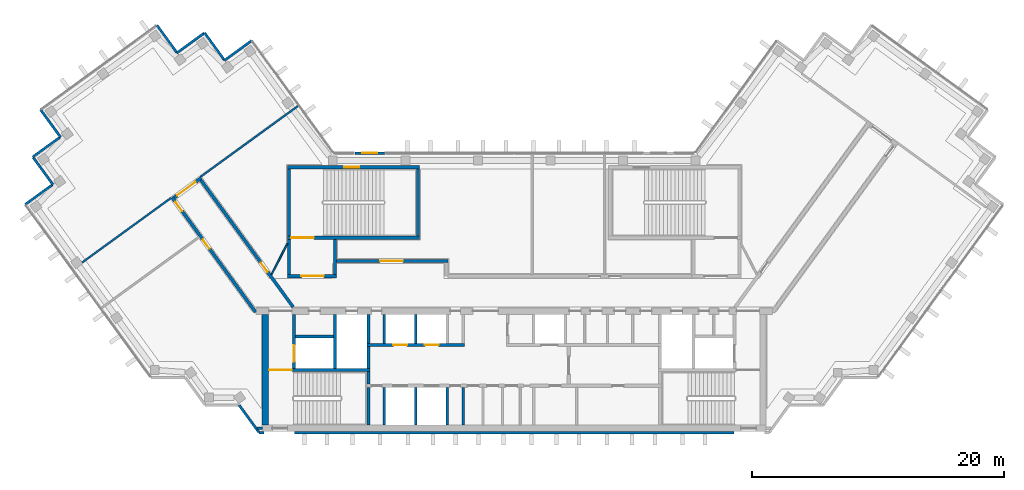
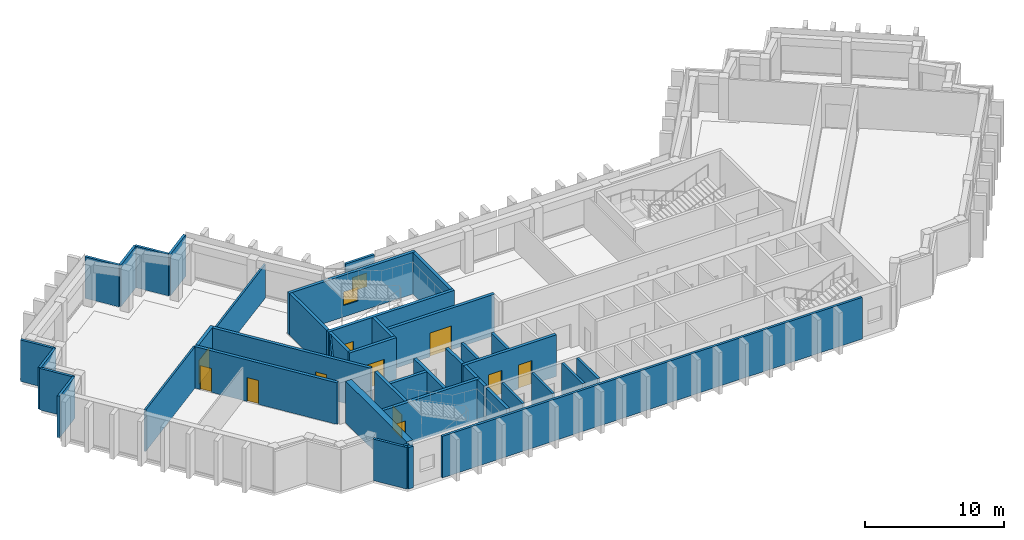
# One storey, part 3 of 8: 43 walls, 11 doors, 2 windows, 13 openings.
"""IFC4 building model written with IfcOpenShell, lengths in metres."""

from ifc_helpers import new_model, si_unit, direction, frame, frame_2d, origin, place, context, subcontext, project, spatial, rectangle, extrude, material, layer, layer_set, type_object, element, fill, save


model = new_model("IFC4")

# Units and contexts
model_context = context("Model", 3, precision=1e-05, world=origin(), true_north=direction((0.0, 1.0)))
body_context = subcontext(model_context, "Body", "Model", "MODEL_VIEW")
ifc_project = project(units=[si_unit("LENGTHUNIT", "METRE"), si_unit("AREAUNIT", "SQUARE_METRE"), si_unit("VOLUMEUNIT", "CUBIC_METRE"), si_unit("PLANEANGLEUNIT", "RADIAN"), si_unit("MASSUNIT", "GRAM", prefix="KILO")], contexts=[model_context])

# Site, building, storey
site_placement = place(None, origin())
site = spatial("IfcSite", under=ifc_project, at=site_placement, CompositionType="ELEMENT")
building_placement = place(site_placement, origin())
building = spatial("IfcBuilding", under=site, at=building_placement, Name="Quipu Civic Tower", CompositionType="ELEMENT")
storey_placement = place(building_placement, frame((0.0, 0.0, 289.0)))
storey = spatial("IfcBuildingStorey", under=building, at=storey_placement, Name="L67", CompositionType="ELEMENT", Elevation=289.0)

# Walls
ifc_material_1 = material(Name="Double gypsum plasterboard with mineral wool")
ifc_layer_1 = layer(ifc_material_1, 0.14990234375)
ifc_layer_set_1 = layer_set([ifc_layer_1], Name="Double gypsum plasterboard with mineral wool")
wall_type_1 = type_object("IfcWallType", Name="Acoustic partition 150 plasterboard", PredefinedType="PARTITIONING", material=ifc_layer_set_1)
wall_1_placement = place(storey_placement, frame((-17.17236328125, 14.822509765625, 0.0), z_axis=(0.0, 0.0, 1.0), x_axis=(-0.809013490065, -0.587790075531, 0.0)))
element("IfcWall", 1, at=wall_1_placement, inside=storey, type_object=wall_type_1, Name="Partition P02", PredefinedType="PARTITIONING", context=body_context, shape_type="SweptSolid", body=[
    extrude(rectangle(XDim=9.54931640625, YDim=0.14990234375, at=frame_2d((4.774658203125, 0.0))), origin(), (0.0, 0.0, 1.0), 2.949951171875),
])
wall_2_placement = place(storey_placement, frame((-34.291015625, 2.41015625, 0.0), z_axis=(0.0, 0.0, 1.0), x_axis=(0.809027940177, 0.587770186393, 0.0)))
element("IfcWall", 2, at=wall_2_placement, inside=storey, type_object=wall_type_1, Name="Partition P06", PredefinedType="PARTITIONING", context=body_context, shape_type="SweptSolid", body=[
    extrude(rectangle(XDim=8.71484375, YDim=0.14990234375, at=frame_2d((4.357421875, 0.0))), origin(), (0.0, 0.0, 1.0), 3.64990234375),
])
ifc_material_2 = material(Name="Concrete C70/85", Category="concrete")
ifc_layer_2 = layer(ifc_material_2, 0.25)
ifc_layer_set_2 = layer_set([ifc_layer_2], Name="Concrete C70/85")
wall_type_2 = type_object("IfcWallType", Name="Core wall 250", PredefinedType="SHEAR", material=ifc_layer_set_2)
wall_3_placement = place(storey_placement, frame((-11.574951171875, -10.5, 0.0), z_axis=(0.0, 0.0, 1.0), x_axis=(0.0, 1.0, 0.0)))
element("IfcWall", 3, at=wall_3_placement, inside=storey, type_object=wall_type_2, Name="Core wall", PredefinedType="SHEAR", context=body_context, shape_type="SweptSolid", body=[
    extrude(rectangle(XDim=3.0, YDim=0.25, at=frame_2d((1.5, 0.0))), origin(), (0.0, 0.0, 1.0), 3.64990234375),
])
wall_4_placement = place(storey_placement, frame((-11.574951171875, -7.25, 0.0), z_axis=(0.0, 0.0, 1.0), x_axis=(0.0, 1.0, 0.0)))
element("IfcWall", 4, at=wall_4_placement, inside=storey, type_object=wall_type_2, Name="Core wall", PredefinedType="SHEAR", context=body_context, shape_type="SweptSolid", body=[
    extrude(rectangle(XDim=1.0, YDim=0.25, at=frame_2d((0.5, 0.0))), origin(), (0.0, 0.0, 1.0), 3.64990234375),
])

# Wall, opening, door
wall_5_placement = place(storey_placement, frame((-11.449951171875, -6.125, 0.0), z_axis=(0.0, 0.0, 1.0), x_axis=(-1.0, 0.0, 0.0)))
wall_5 = element("IfcWall", 5, at=wall_5_placement, inside=storey, type_object=wall_type_2, Name="Core wall", PredefinedType="SHEAR", context=body_context, shape_type="SweptSolid", body=[
    extrude(rectangle(XDim=8.050048828125, YDim=0.25, at=frame_2d((4.02490234375, 0.0))), origin(), (0.0, 0.0, 1.0), 3.64990234375),
])
opening_1_placement = place(wall_5_placement, frame((6.199951171875, 0.0, 0.0)))
opening_1 = element("IfcOpeningElement", 6, at=opening_1_placement, cuts=wall_5, Name="Opening CD-09", PredefinedType="OPENING", context=body_context, shape_type="SweptSolid", body=[
    extrude(rectangle(XDim=1.800048828125, YDim=2.10009765625, at=frame_2d((0.89990234375, 1.050048828125))), frame((0.0, 0.135009765625, 0.0), z_axis=(0.0, -1.0, 0.0), x_axis=(1.0, 0.0, 0.0)), (0.0, 0.0, 1.0), 0.27001953125),
])
ifc_material_3 = material(Name="Fire rated steel door", Category="steel")
door_type_1 = type_object("IfcDoorType", Name="Fire door FD90 double 1800 x 2100", OperationType="NOTDEFINED", PredefinedType="DOOR", material=ifc_material_3)
door_1_placement = place(opening_1_placement, origin())
door_1 = element("IfcDoor", 7, at=door_1_placement, inside=storey, type_object=door_type_1, Name="Door", OperationType="DOUBLE_DOOR_SINGLE_SWING", OverallHeight=2.10009765625, OverallWidth=1.800048828125, PredefinedType="DOOR", context=body_context, shape_type="SweptSolid", body=[
    extrude(rectangle(XDim=1.800048828125, YDim=2.10009765625, at=frame_2d((0.89990234375, 1.050048828125))), frame((0.0, 0.02490234375, 0.0), z_axis=(0.0, -1.0, 0.0), x_axis=(1.0, 0.0, 0.0)), (0.0, 0.0, 1.0), 0.050048828125),
])
fill(opening_1, door_1)

wall_6_placement = place(storey_placement, frame((-17.47509765625, -6.0, 0.0), z_axis=(0.0, 0.0, 1.0), x_axis=(0.0, 1.0, 0.0)))
wall_6 = element("IfcWall", 8, at=wall_6_placement, inside=storey, type_object=wall_type_2, Name="Core wall", PredefinedType="SHEAR", context=body_context, shape_type="SweptSolid", body=[
    extrude(rectangle(XDim=4.300048828125, YDim=0.25, at=frame_2d((2.14990234375, 0.0))), origin(), (0.0, 0.0, 1.0), 3.64990234375),
])
opening_2_placement = place(wall_6_placement, frame((0.550048828125, 0.0, 0.0)))
opening_2 = element("IfcOpeningElement", 9, at=opening_2_placement, cuts=wall_6, Name="Opening LD-FF1", PredefinedType="OPENING", context=body_context, shape_type="SweptSolid", body=[
    extrude(rectangle(XDim=1.300048828125, YDim=2.10009765625, at=frame_2d((0.64990234375, 1.050048828125))), frame((0.0, 0.135009765625, 0.0), z_axis=(0.0, -1.0, 0.0), x_axis=(1.0, 0.0, 0.0)), (0.0, 0.0, 1.0), 0.27001953125),
])
ifc_material_4 = material(Name="Stainless steel", Category="steel")
door_type_2 = type_object("IfcDoorType", Name="Lift landing door 1300 x 2100", OperationType="DOUBLE_DOOR_SLIDING", PredefinedType="DOOR", material=ifc_material_4)
door_2_placement = place(opening_2_placement, origin())
door_2 = element("IfcDoor", 10, at=door_2_placement, inside=storey, type_object=door_type_2, Name="Landing door FF1", OperationType="DOUBLE_DOOR_SLIDING", OverallHeight=2.10009765625, OverallWidth=1.300048828125, PredefinedType="DOOR", context=body_context, shape_type="SweptSolid", body=[
    extrude(rectangle(XDim=1.300048828125, YDim=2.10009765625, at=frame_2d((0.64990234375, 1.050048828125))), frame((0.0, 0.02490234375, 0.0), z_axis=(0.0, -1.0, 0.0), x_axis=(1.0, 0.0, 0.0)), (0.0, 0.0, 1.0), 0.050048828125),
])
fill(opening_2, door_2)

# Walls
wall_7_placement = place(storey_placement, frame((-14.22509765625, -6.0, 0.0), z_axis=(0.0, 0.0, 1.0), x_axis=(0.0, 1.0, 0.0)))
element("IfcWall", 11, at=wall_7_placement, inside=storey, type_object=wall_type_2, Name="Core wall", PredefinedType="SHEAR", context=body_context, shape_type="SweptSolid", body=[
    extrude(rectangle(XDim=4.300048828125, YDim=0.25, at=frame_2d((2.14990234375, 0.0))), origin(), (0.0, 0.0, 1.0), 3.64990234375),
])
wall_8_placement = place(storey_placement, frame((-11.574951171875, -6.0, 0.0), z_axis=(0.0, 0.0, 1.0), x_axis=(0.0, 1.0, 0.0)))
element("IfcWall", 12, at=wall_8_placement, inside=storey, type_object=wall_type_2, Name="Core wall", PredefinedType="SHEAR", context=body_context, shape_type="SweptSolid", body=[
    extrude(rectangle(XDim=1.75, YDim=0.25, at=frame_2d((0.875, 0.0))), origin(), (0.0, 0.0, 1.0), 3.64990234375),
])

# Wall, openings, doors
wall_9_placement = place(storey_placement, frame((-11.699951171875, -4.125, 0.0), z_axis=(0.0, 0.0, 1.0), x_axis=(1.0, 0.0, 0.0)))
wall_9 = element("IfcWall", 13, at=wall_9_placement, inside=storey, type_object=wall_type_2, Name="Core wall", PredefinedType="SHEAR", context=body_context, shape_type="SweptSolid", body=[
    extrude(rectangle(XDim=7.75, YDim=0.25, at=frame_2d((3.875, 0.0))), origin(), (0.0, 0.0, 1.0), 3.64990234375),
])
opening_3_placement = place(wall_9_placement, frame((2.10009765625, 0.0, 0.0)))
opening_3 = element("IfcOpeningElement", 14, at=opening_3_placement, cuts=wall_9, Name="Opening LD-HL3", PredefinedType="OPENING", context=body_context, shape_type="SweptSolid", body=[
    extrude(rectangle(XDim=1.10009765625, YDim=2.10009765625, at=frame_2d((0.550048828125, 1.050048828125))), frame((0.0, 0.135009765625, 0.0), z_axis=(0.0, -1.0, 0.0), x_axis=(1.0, 0.0, 0.0)), (0.0, 0.0, 1.0), 0.27001953125),
])
opening_4_placement = place(wall_9_placement, frame((4.60009765625, 0.0, 0.0)))
opening_4 = element("IfcOpeningElement", 15, at=opening_4_placement, cuts=wall_9, Name="Opening LD-HL4", PredefinedType="OPENING", context=body_context, shape_type="SweptSolid", body=[
    extrude(rectangle(XDim=1.10009765625, YDim=2.10009765625, at=frame_2d((0.550048828125, 1.050048828125))), frame((0.0, 0.135009765625, 0.0), z_axis=(0.0, -1.0, 0.0), x_axis=(1.0, 0.0, 0.0)), (0.0, 0.0, 1.0), 0.27001953125),
])
ifc_material_5 = material(Name="Stainless steel", Category="steel")
door_type_3 = type_object("IfcDoorType", Name="Lift landing door 1100 x 2100", OperationType="DOUBLE_DOOR_SLIDING", PredefinedType="DOOR", material=ifc_material_5)
door_3_placement = place(opening_3_placement, origin())
door_3 = element("IfcDoor", 16, at=door_3_placement, inside=storey, type_object=door_type_3, Name="Landing door HL3", OperationType="DOUBLE_DOOR_SLIDING", OverallHeight=2.10009765625, OverallWidth=1.10009765625, PredefinedType="DOOR", context=body_context, shape_type="SweptSolid", body=[
    extrude(rectangle(XDim=1.10009765625, YDim=2.10009765625, at=frame_2d((0.550048828125, 1.050048828125))), frame((0.0, 0.02490234375, 0.0), z_axis=(0.0, -1.0, 0.0), x_axis=(1.0, 0.0, 0.0)), (0.0, 0.0, 1.0), 0.050048828125),
])
fill(opening_3, door_3)
door_4_placement = place(opening_4_placement, origin())
door_4 = element("IfcDoor", 17, at=door_4_placement, inside=storey, type_object=door_type_3, Name="Landing door HL4", OperationType="DOUBLE_DOOR_SLIDING", OverallHeight=2.10009765625, OverallWidth=1.10009765625, PredefinedType="DOOR", context=body_context, shape_type="SweptSolid", body=[
    extrude(rectangle(XDim=1.10009765625, YDim=2.10009765625, at=frame_2d((0.550048828125, 1.050048828125))), frame((0.0, 0.02490234375, 0.0), z_axis=(0.0, -1.0, 0.0), x_axis=(1.0, 0.0, 0.0)), (0.0, 0.0, 1.0), 0.050048828125),
])
fill(opening_4, door_4)

# Walls
wall_10_placement = place(storey_placement, frame((-11.574951171875, -4.0, 0.0), z_axis=(0.0, 0.0, 1.0), x_axis=(0.0, 1.0, 0.0)))
element("IfcWall", 18, at=wall_10_placement, inside=storey, type_object=wall_type_2, Name="Core wall", PredefinedType="SHEAR", context=body_context, shape_type="SweptSolid", body=[
    extrude(rectangle(XDim=2.300048828125, YDim=0.25, at=frame_2d((1.14990234375, 0.0))), origin(), (0.0, 0.0, 1.0), 3.64990234375),
])
wall_11_placement = place(storey_placement, frame((-17.35009765625, -3.47509765625, 0.0), z_axis=(0.0, 0.0, 1.0), x_axis=(1.0, 0.0, 0.0)))
element("IfcWall", 19, at=wall_11_placement, inside=storey, type_object=wall_type_2, Name="Core wall", PredefinedType="SHEAR", context=body_context, shape_type="SweptSolid", body=[
    extrude(rectangle(XDim=3.0, YDim=0.25, at=frame_2d((1.5, 0.0))), origin(), (0.0, 0.0, 1.0), 3.64990234375),
])

# Wall, opening, door
wall_12_placement = place(storey_placement, frame((-18.0, 1.324951171875, 0.0), z_axis=(0.0, 0.0, 1.0), x_axis=(1.0, 0.0, 0.0)))
wall_12 = element("IfcWall", 20, at=wall_12_placement, inside=storey, type_object=wall_type_2, Name="Core wall", PredefinedType="SHEAR", context=body_context, shape_type="SweptSolid", body=[
    extrude(rectangle(XDim=3.89990234375, YDim=0.25, at=frame_2d((1.949951171875, 0.0))), origin(), (0.0, 0.0, 1.0), 3.64990234375),
])
opening_5_placement = place(wall_12_placement, frame((1.10009765625, 0.0, 0.0)))
opening_5 = element("IfcOpeningElement", 21, at=opening_5_placement, cuts=wall_12, Name="Opening CD-27", PredefinedType="OPENING", context=body_context, shape_type="SweptSolid", body=[
    extrude(rectangle(XDim=1.800048828125, YDim=2.10009765625, at=frame_2d((0.89990234375, 1.050048828125))), frame((0.0, 0.135009765625, 0.0), z_axis=(0.0, -1.0, 0.0), x_axis=(1.0, 0.0, 0.0)), (0.0, 0.0, 1.0), 0.27001953125),
])
door_5_placement = place(opening_5_placement, origin())
door_5 = element("IfcDoor", 22, at=door_5_placement, inside=storey, type_object=door_type_1, Name="Lobby door", OperationType="DOUBLE_DOOR_SINGLE_SWING", OverallHeight=2.10009765625, OverallWidth=1.800048828125, PredefinedType="DOOR", context=body_context, shape_type="SweptSolid", body=[
    extrude(rectangle(XDim=1.800048828125, YDim=2.10009765625, at=frame_2d((0.89990234375, 1.050048828125))), frame((0.0, 0.02490234375, 0.0), z_axis=(0.0, -1.0, 0.0), x_axis=(1.0, 0.0, 0.0)), (0.0, 0.0, 1.0), 0.050048828125),
])
fill(opening_5, door_5)

# Walls
for number, where, z_axis, x_axis, name in (
    (23, (-17.875, 1.449951171875, 0.0), (0.0, 0.0, 1.0), (0.0, 1.0, 0.0), "Core wall"),
    (24, (-14.22509765625, 1.449951171875, 0.0), (0.0, 0.0, 1.0), (0.0, 1.0, 0.0), "Core wall"),
):
    element("IfcWall", number, at=place(storey_placement, frame(where, z_axis=z_axis, x_axis=x_axis)), inside=storey, type_object=wall_type_2, Name=name, PredefinedType="SHEAR", context=body_context, shape_type="SweptSolid", body=[
        extrude(rectangle(XDim=2.800048828125, YDim=0.25, at=frame_2d((1.39990234375, 0.0))), origin(), (0.0, 0.0, 1.0), 3.64990234375),
    ])

# Wall, opening, door
wall_13_placement = place(storey_placement, frame((-18.0, 4.375, 0.0), z_axis=(0.0, 0.0, 1.0), x_axis=(1.0, 0.0, 0.0)))
wall_13 = element("IfcWall", 25, at=wall_13_placement, inside=storey, type_object=wall_type_2, Name="Core wall", PredefinedType="SHEAR", context=body_context, shape_type="SweptSolid", body=[
    extrude(rectangle(XDim=10.5, YDim=0.25, at=frame_2d((5.25, 0.0))), origin(), (0.0, 0.0, 1.0), 3.64990234375),
])
opening_6_placement = place(wall_13_placement, frame((0.300048828125, 0.0, 0.0)))
opening_6 = element("IfcOpeningElement", 26, at=opening_6_placement, cuts=wall_13, Name="Opening CD-28", PredefinedType="OPENING", context=body_context, shape_type="SweptSolid", body=[
    extrude(rectangle(XDim=1.800048828125, YDim=2.10009765625, at=frame_2d((0.89990234375, 1.050048828125))), frame((0.0, 0.135009765625, 0.0), z_axis=(0.0, -1.0, 0.0), x_axis=(1.0, 0.0, 0.0)), (0.0, 0.0, 1.0), 0.27001953125),
])
door_6_placement = place(opening_6_placement, origin())
door_6 = element("IfcDoor", 27, at=door_6_placement, inside=storey, type_object=door_type_1, Name="Door", OperationType="DOUBLE_DOOR_SINGLE_SWING", OverallHeight=2.10009765625, OverallWidth=1.800048828125, PredefinedType="DOOR", context=body_context, shape_type="SweptSolid", body=[
    extrude(rectangle(XDim=1.800048828125, YDim=2.10009765625, at=frame_2d((0.89990234375, 1.050048828125))), frame((0.0, 0.02490234375, 0.0), z_axis=(0.0, -1.0, 0.0), x_axis=(1.0, 0.0, 0.0)), (0.0, 0.0, 1.0), 0.050048828125),
])
fill(opening_6, door_6)

# Walls
for number, where, z_axis, x_axis, name in (
    (28, (-17.875, 4.5, 0.0), (0.0, 0.0, 1.0), (0.0, 1.0, 0.0), "Core wall"),
    (29, (-7.625, 4.5, 0.0), (0.0, 0.0, 1.0), (0.0, 1.0, 0.0), "Core wall"),
):
    element("IfcWall", number, at=place(storey_placement, frame(where, z_axis=z_axis, x_axis=x_axis)), inside=storey, type_object=wall_type_2, Name=name, PredefinedType="SHEAR", context=body_context, shape_type="SweptSolid", body=[
        extrude(rectangle(XDim=5.35009765625, YDim=0.25, at=frame_2d((2.675048828125, 0.0))), origin(), (0.0, 0.0, 1.0), 3.64990234375),
    ])

# Wall, opening, window
wall_14_placement = place(storey_placement, frame((-18.0, 9.97509765625, 0.0), z_axis=(0.0, 0.0, 1.0), x_axis=(1.0, 0.0, 0.0)))
wall_14 = element("IfcWall", 30, at=wall_14_placement, inside=storey, type_object=wall_type_2, Name="Core wall", PredefinedType="SHEAR", context=body_context, shape_type="SweptSolid", body=[
    extrude(rectangle(XDim=10.5, YDim=0.25, at=frame_2d((5.25, 0.0))), origin(), (0.0, 0.0, 1.0), 3.64990234375),
])
opening_7_placement = place(wall_14_placement, frame((4.5, 0.0, 1.0)))
opening_7 = element("IfcOpeningElement", 31, at=opening_7_placement, cuts=wall_14, Name="Opening SV-3", PredefinedType="OPENING", context=body_context, shape_type="SweptSolid", body=[
    extrude(rectangle(XDim=1.199951171875, YDim=1.199951171875, at=frame_2d((0.60009765625, 0.60009765625))), frame((0.0, 0.135009765625, 0.0), z_axis=(0.0, -1.0, 0.0), x_axis=(1.0, 0.0, 0.0)), (0.0, 0.0, 1.0), 0.27001953125),
])
ifc_material_6 = material(Name="Aluminium louvre", Category="aluminium")
window_type_1 = type_object("IfcWindowType", Name="Stair ventilation louvre 1200 x 1200", PartitioningType="SINGLE_PANEL", PredefinedType="WINDOW", material=ifc_material_6)
window_1_placement = place(opening_7_placement, origin())
window_1 = element("IfcWindow", 32, at=window_1_placement, inside=storey, type_object=window_type_1, Name="Stair ventilation opening", OverallHeight=1.199951171875, OverallWidth=1.199951171875, PartitioningType="SINGLE_PANEL", PredefinedType="WINDOW", context=body_context, shape_type="SweptSolid", body=[
    extrude(rectangle(XDim=1.199951171875, YDim=1.199951171875, at=frame_2d((0.60009765625, 0.60009765625))), frame((0.0, 0.030029296875, 0.0), z_axis=(0.0, -1.0, 0.0), x_axis=(1.0, 0.0, 0.0)), (0.0, 0.0, 1.0), 0.06005859375),
])
fill(opening_7, window_1)

# Wall
ifc_material_7 = material(Name="Concrete C70/85", Category="concrete")
ifc_layer_3 = layer(ifc_material_7, 0.5)
ifc_layer_set_3 = layer_set([ifc_layer_3], Name="Concrete C70/85")
wall_type_3 = type_object("IfcWallType", Name="Core wall 500", PredefinedType="SHEAR", material=ifc_layer_set_3)
wall_15_placement = place(storey_placement, frame((-19.75, -10.5, 0.0), z_axis=(0.0, 0.0, 1.0), x_axis=(0.0, 1.0, 0.0)))
element("IfcWall", 33, at=wall_15_placement, inside=storey, type_object=wall_type_3, Name="Core wall", PredefinedType="SHEAR", context=body_context, shape_type="SweptSolid", body=[
    extrude(rectangle(XDim=8.800048828125, YDim=0.5, at=frame_2d((4.39990234375, 0.0))), origin(), (0.0, 0.0, 1.0), 3.64990234375),
])

# Wall, openings, doors
ifc_material_8 = material(Name="Concrete C50/60", Category="concrete")
ifc_layer_4 = layer(ifc_material_8, 0.25)
ifc_layer_set_4 = layer_set([ifc_layer_4], Name="Concrete C50/60")
wall_type_4 = type_object("IfcWallType", Name="Corridor wall 250 concrete", PredefinedType="SOLIDWALL", material=ifc_layer_set_4)
wall_16_placement = place(storey_placement, frame((-20.531005859375, -1.5234375, 0.0), z_axis=(0.0, 0.0, 1.0), x_axis=(-0.587782646447, 0.809018887626, 0.0)))
wall_16 = element("IfcWall", 34, at=wall_16_placement, inside=storey, type_object=wall_type_4, Name="Corridor wall C04", PredefinedType="SOLIDWALL", context=body_context, shape_type="SweptSolid", body=[
    extrude(rectangle(XDim=11.270263671875, YDim=0.25, at=frame_2d((5.63525390625, 0.0))), origin(), (0.0, 0.0, 1.0), 3.64990234375),
])
opening_8_placement = place(wall_16_placement, frame((6.2158203125, 0.0, 0.0)))
opening_8 = element("IfcOpeningElement", 35, at=opening_8_placement, cuts=wall_16, Name="Opening D009", PredefinedType="OPENING", context=body_context, shape_type="SweptSolid", body=[
    extrude(rectangle(XDim=0.89990234375, YDim=2.10009765625, at=frame_2d((0.449951171875, 1.050048828125))), frame((0.0, 0.135009765625, 0.0), z_axis=(0.0, -1.0, 0.0), x_axis=(1.0, 0.0, 0.0)), (0.0, 0.0, 1.0), 0.27001953125),
])
opening_9_placement = place(wall_16_placement, frame((9.895751953125, 0.0, 0.0)))
opening_9 = element("IfcOpeningElement", 36, at=opening_9_placement, cuts=wall_16, Name="Opening D008", PredefinedType="OPENING", context=body_context, shape_type="SweptSolid", body=[
    extrude(rectangle(XDim=0.89990234375, YDim=2.10009765625, at=frame_2d((0.449951171875, 1.050048828125))), frame((0.0, 0.135009765625, 0.0), z_axis=(0.0, -1.0, 0.0), x_axis=(1.0, 0.0, 0.0)), (0.0, 0.0, 1.0), 0.27001953125),
])
ifc_material_9 = material(Name="Fire rated timber door set with metal frame", Category="wood")
door_type_4 = type_object("IfcDoorType", Name="Single door 900 x 2100 FD60", OperationType="NOTDEFINED", PredefinedType="DOOR", material=ifc_material_9)
door_7_placement = place(opening_8_placement, origin())
door_7 = element("IfcDoor", 37, at=door_7_placement, inside=storey, type_object=door_type_4, Name="Door D009", OperationType="SINGLE_SWING_RIGHT", OverallHeight=2.10009765625, OverallWidth=0.89990234375, PredefinedType="DOOR", context=body_context, shape_type="SweptSolid", body=[
    extrude(rectangle(XDim=0.89990234375, YDim=2.10009765625, at=frame_2d((0.449951171875, 1.050048828125))), frame((0.0, 0.02490234375, 0.0), z_axis=(0.0, -1.0, 0.0), x_axis=(1.0, 0.0, 0.0)), (0.0, 0.0, 1.0), 0.050048828125),
])
fill(opening_8, door_7)
door_8_placement = place(opening_9_placement, origin())
door_8 = element("IfcDoor", 38, at=door_8_placement, inside=storey, type_object=door_type_4, Name="Door D008", OperationType="SINGLE_SWING_RIGHT", OverallHeight=2.10009765625, OverallWidth=0.89990234375, PredefinedType="DOOR", context=body_context, shape_type="SweptSolid", body=[
    extrude(rectangle(XDim=0.89990234375, YDim=2.10009765625, at=frame_2d((0.449951171875, 1.050048828125))), frame((0.0, 0.02490234375, 0.0), z_axis=(0.0, -1.0, 0.0), x_axis=(1.0, 0.0, 0.0)), (0.0, 0.0, 1.0), 0.050048828125),
])
fill(opening_9, door_8)

# Wall, opening, door
wall_17_placement = place(storey_placement, frame((-26.98095703125, 7.56689453125, 0.0), z_axis=(0.0, 0.0, 1.0), x_axis=(0.809038743598, 0.587755315891, 0.0)))
wall_17 = element("IfcWall", 39, at=wall_17_placement, inside=storey, type_object=wall_type_4, Name="Corridor wall C05", PredefinedType="SOLIDWALL", context=body_context, shape_type="SweptSolid", body=[
    extrude(rectangle(XDim=2.650146484375, YDim=0.25, at=frame_2d((1.3251953125, 0.0))), origin(), (0.0, 0.0, 1.0), 3.64990234375),
])
opening_10_placement = place(wall_17_placement, frame((0.299560546875, 0.0, 0.0)))
opening_10 = element("IfcOpeningElement", 40, at=opening_10_placement, cuts=wall_17, Name="Opening D010", PredefinedType="OPENING", context=body_context, shape_type="SweptSolid", body=[
    extrude(rectangle(XDim=1.800048828125, YDim=2.10009765625, at=frame_2d((0.89990234375, 1.050048828125))), frame((0.0, 0.135009765625, 0.0), z_axis=(0.0, -1.0, 0.0), x_axis=(1.0, 0.0, 0.0)), (0.0, 0.0, 1.0), 0.27001953125),
])
ifc_material_10 = material(Name="Fire rated timber door set with metal frame", Category="wood")
door_type_5 = type_object("IfcDoorType", Name="Double door 1800 x 2100 FD60", OperationType="DOUBLE_DOOR_SINGLE_SWING", PredefinedType="DOOR", material=ifc_material_10)
door_9_placement = place(opening_10_placement, origin())
door_9 = element("IfcDoor", 41, at=door_9_placement, inside=storey, type_object=door_type_5, Name="Door D010", OperationType="DOUBLE_DOOR_SINGLE_SWING", OverallHeight=2.10009765625, OverallWidth=1.800048828125, PredefinedType="DOOR", context=body_context, shape_type="SweptSolid", body=[
    extrude(rectangle(XDim=1.800048828125, YDim=2.10009765625, at=frame_2d((0.89990234375, 1.050048828125))), frame((0.0, 0.02490234375, 0.0), z_axis=(0.0, -1.0, 0.0), x_axis=(1.0, 0.0, 0.0)), (0.0, 0.0, 1.0), 0.050048828125),
])
fill(opening_10, door_9)

wall_18_placement = place(storey_placement, frame((-24.86474609375, 8.949951171875, 0.0), z_axis=(0.0, 0.0, 1.0), x_axis=(0.587791617212, -0.809012369952, 0.0)))
wall_18 = element("IfcWall", 42, at=wall_18_placement, inside=storey, type_object=wall_type_4, Name="Corridor wall C06", PredefinedType="SOLIDWALL", context=body_context, shape_type="SweptSolid", body=[
    extrude(rectangle(XDim=12.453125, YDim=0.25, at=frame_2d((6.2265625, 0.0))), origin(), (0.0, 0.0, 1.0), 3.64990234375),
])
opening_11_placement = place(wall_18_placement, frame((8.111572265625, 0.0, 0.0)))
opening_11 = element("IfcOpeningElement", 43, at=opening_11_placement, cuts=wall_18, Name="Opening D007", PredefinedType="OPENING", context=body_context, shape_type="SweptSolid", body=[
    extrude(rectangle(XDim=0.89990234375, YDim=2.10009765625, at=frame_2d((0.449951171875, 1.050048828125))), frame((0.0, 0.135009765625, 0.0), z_axis=(0.0, -1.0, 0.0), x_axis=(1.0, 0.0, 0.0)), (0.0, 0.0, 1.0), 0.27001953125),
])
door_10_placement = place(opening_11_placement, origin())
door_10 = element("IfcDoor", 44, at=door_10_placement, inside=storey, type_object=door_type_4, Name="Door D007", OperationType="SINGLE_SWING_RIGHT", OverallHeight=2.10009765625, OverallWidth=0.89990234375, PredefinedType="DOOR", context=body_context, shape_type="SweptSolid", body=[
    extrude(rectangle(XDim=0.89990234375, YDim=2.10009765625, at=frame_2d((0.449951171875, 1.050048828125))), frame((0.0, 0.02490234375, 0.0), z_axis=(0.0, -1.0, 0.0), x_axis=(1.0, 0.0, 0.0)), (0.0, 0.0, 1.0), 0.050048828125),
])
fill(opening_11, door_10)

wall_19_placement = place(storey_placement, frame((-14.090087890625, 2.52490234375, 0.0), z_axis=(0.0, 0.0, 1.0), x_axis=(1.0, 0.0, 0.0)))
wall_19 = element("IfcWall", 45, at=wall_19_placement, inside=storey, type_object=wall_type_4, Name="Corridor wall C07", PredefinedType="SOLIDWALL", context=body_context, shape_type="SweptSolid", body=[
    extrude(rectangle(XDim=8.840087890625, YDim=0.25, at=frame_2d((4.419921875, 0.0))), origin(), (0.0, 0.0, 1.0), 3.64990234375),
])
opening_12_placement = place(wall_19_placement, frame((3.452880859375, 0.0, 0.0)))
opening_12 = element("IfcOpeningElement", 46, at=opening_12_placement, cuts=wall_19, Name="Opening D004", PredefinedType="OPENING", context=body_context, shape_type="SweptSolid", body=[
    extrude(rectangle(XDim=1.800048828125, YDim=2.10009765625, at=frame_2d((0.89990234375, 1.050048828125))), frame((0.0, 0.135009765625, 0.0), z_axis=(0.0, -1.0, 0.0), x_axis=(1.0, 0.0, 0.0)), (0.0, 0.0, 1.0), 0.27001953125),
])
door_11_placement = place(opening_12_placement, origin())
door_11 = element("IfcDoor", 47, at=door_11_placement, inside=storey, type_object=door_type_5, Name="Door D004", OperationType="DOUBLE_DOOR_SINGLE_SWING", OverallHeight=2.10009765625, OverallWidth=1.800048828125, PredefinedType="DOOR", context=body_context, shape_type="SweptSolid", body=[
    extrude(rectangle(XDim=1.800048828125, YDim=2.10009765625, at=frame_2d((0.89990234375, 1.050048828125))), frame((0.0, 0.02490234375, 0.0), z_axis=(0.0, -1.0, 0.0), x_axis=(1.0, 0.0, 0.0)), (0.0, 0.0, 1.0), 0.050048828125),
])
fill(opening_12, door_11)

# Walls
ifc_material_11 = material(Name="Gypsum plasterboard on light gauge framing")
ifc_layer_5 = layer(ifc_material_11, 0.1201171875)
ifc_layer_set_5 = layer_set([ifc_layer_5], Name="Gypsum plasterboard on light gauge framing")
wall_type_5 = type_object("IfcWallType", Name="Partition 120 plasterboard", PredefinedType="PARTITIONING", material=ifc_layer_set_5)
wall_20_placement = place(storey_placement, frame((-19.260986328125, 1.449951171875, 0.0), z_axis=(0.0, 0.0, 1.0), x_axis=(0.453950796792, 0.891026752736, 0.0)))
element("IfcWall", 48, at=wall_20_placement, inside=storey, type_object=wall_type_5, Name="Partition P09", PredefinedType="PARTITIONING", context=body_context, shape_type="SweptSolid", body=[
    extrude(rectangle(XDim=2.77783203125, YDim=0.1201171875, at=frame_2d((1.388916015625, 0.0))), origin(), (0.0, 0.0, 1.0), 3.64990234375),
])
ifc_material_12 = material(Name="Precast concrete C40/50", Category="concrete")
wall_type_6 = type_object("IfcWallType", Name="Precast cladding wall", PredefinedType="SOLIDWALL", material=ifc_material_12)
for number, where, z_axis, x_axis, name in (
    (49, (-20.828857421875, 20.025390625, 0.0), (0.0, 0.0, 1.0), (-0.808990163075, -0.587822180636, 0.0), "Precast cladding wall L67 P02"),
    (50, (-22.996337890625, 18.465576171875, 0.0), (0.0, 0.0, 1.0), (-0.587762999008, 0.809033161865, 0.0), "Precast cladding wall L67 P03"),
):
    element("IfcWall", number, at=place(storey_placement, frame(where, z_axis=z_axis, x_axis=x_axis)), inside=storey, type_object=wall_type_6, Name=name, PredefinedType="SOLIDWALL", context=body_context, shape_type="SweptSolid", body=[
        extrude(rectangle(XDim=2.699951171875, YDim=0.199951171875, at=frame_2d((1.35009765625, 0.0))), origin(), (0.0, 0.0, 1.0), 3.64990234375),
    ])
for number, where, z_axis, x_axis, name in (
    (51, (-24.60009765625, 20.62255859375, 0.0), (0.0, 0.0, 1.0), (-0.809064397168, -0.587720002413, 0.0), "Precast cladding wall L67 P04"),
    (52, (-26.767578125, 19.062744140625, 0.0), (0.0, 0.0, 1.0), (-0.587720002413, 0.809064397168, 0.0), "Precast cladding wall L67 P05"),
):
    element("IfcWall", number, at=place(storey_placement, frame(where, z_axis=z_axis, x_axis=x_axis)), inside=storey, type_object=wall_type_6, Name=name, PredefinedType="SOLIDWALL", context=body_context, shape_type="SweptSolid", body=[
        extrude(rectangle(XDim=2.7001953125, YDim=0.199951171875, at=frame_2d((1.35009765625, 0.0))), origin(), (0.0, 0.0, 1.0), 3.64990234375),
    ])
for number, where, z_axis, x_axis, name in (
    (53, (-37.591796875, 14.535888671875, 0.0), (0.0, 0.0, 1.0), (0.587762999008, -0.809033161865, 0.0), "Precast cladding wall L67 P07"),
    (54, (-36.031982421875, 12.36865234375, 0.0), (0.0, 0.0, 1.0), (-0.809033161865, -0.587762999008, 0.0), "Precast cladding wall L67 P08"),
    (55, (-38.189208984375, 10.7646484375, 0.0), (0.0, 0.0, 1.0), (0.587822180636, -0.808990163075, 0.0), "Precast cladding wall L67 P09"),
    (56, (-36.62939453125, 8.597412109375, 0.0), (0.0, 0.0, 1.0), (-0.809033161865, -0.587762999008, 0.0), "Precast cladding wall L67 P10"),
):
    element("IfcWall", number, at=place(storey_placement, frame(where, z_axis=z_axis, x_axis=x_axis)), inside=storey, type_object=wall_type_6, Name=name, PredefinedType="SOLIDWALL", context=body_context, shape_type="SweptSolid", body=[
        extrude(rectangle(XDim=2.699951171875, YDim=0.199951171875, at=frame_2d((1.35009765625, 0.0))), origin(), (0.0, 0.0, 1.0), 3.64990234375),
    ])
wall_21_placement = place(storey_placement, frame((-21.8330078125, -8.90869140625, 0.0), z_axis=(0.0, 0.0, 1.0), x_axis=(0.587766567315, -0.809030569476, 0.0)))
element("IfcWall", 57, at=wall_21_placement, inside=storey, type_object=wall_type_6, Name="Precast cladding wall L67 P15", PredefinedType="SOLIDWALL", context=body_context, shape_type="SweptSolid", body=[
    extrude(rectangle(XDim=2.687744140625, YDim=0.199951171875, at=frame_2d((1.34375, 0.0))), origin(), (0.0, 0.0, 1.0), 3.64990234375),
])
wall_22_placement = place(storey_placement, frame((-20.255859375, -11.087890625, 0.0), z_axis=(0.0, 0.0, 1.0), x_axis=(1.0, 0.0, 0.0)))
element("IfcWall", 58, at=wall_22_placement, inside=storey, type_object=wall_type_6, Name="Precast cladding wall L67 P16", PredefinedType="SOLIDWALL", context=body_context, shape_type="SweptSolid", body=[
    extrude(rectangle(XDim=0.40576171875, YDim=0.199951171875, at=frame_2d((0.202880859375, 0.0))), origin(), (0.0, 0.0, 1.0), 3.64990234375),
])
wall_23_placement = place(storey_placement, frame((-17.44384765625, -11.087890625, 0.0), z_axis=(0.0, 0.0, 1.0), x_axis=(1.0, 0.0, 0.0)))
element("IfcWall", 59, at=wall_23_placement, inside=storey, type_object=wall_type_6, Name="Precast cladding wall L67 P17", PredefinedType="SOLIDWALL", context=body_context, shape_type="SweptSolid", body=[
    extrude(rectangle(XDim=34.8876953125, YDim=0.199951171875, at=frame_2d((17.44384765625, 0.0))), origin(), (0.0, 0.0, 1.0), 3.64990234375),
])

# Wall, opening, window
wall_24_placement = place(storey_placement, frame((-10.263427734375, 11.10009765625, 0.0), z_axis=(0.0, 0.0, 1.0), x_axis=(-1.0, 0.0, 0.0)))
wall_24 = element("IfcWall", 60, at=wall_24_placement, inside=storey, type_object=wall_type_6, Name="Vent surround SF-L62-1", PredefinedType="SOLIDWALL", context=body_context, shape_type="SweptSolid", body=[
    extrude(rectangle(XDim=2.3916015625, YDim=0.199951171875, at=frame_2d((1.19580078125, 0.0))), origin(), (0.0, 0.0, 1.0), 3.64990234375),
])
opening_13_placement = place(wall_24_placement, frame((0.595703125, 0.0, 1.0)))
opening_13 = element("IfcOpeningElement", 61, at=opening_13_placement, cuts=wall_24, Name="Opening SF-L62-1", PredefinedType="OPENING", context=body_context, shape_type="SweptSolid", body=[
    extrude(rectangle(XDim=1.199951171875, YDim=1.199951171875, at=frame_2d((0.60009765625, 0.60009765625))), frame((0.0, 0.10986328125, 0.0), z_axis=(0.0, -1.0, 0.0), x_axis=(1.0, 0.0, 0.0)), (0.0, 0.0, 1.0), 0.219970703125),
])
ifc_material_13 = material(Name="Anodised aluminium louvre", Category="aluminium")
window_type_2 = type_object("IfcWindowType", Name="Stair vent louvre window P3", PartitioningType="SINGLE_PANEL", PredefinedType="WINDOW", material=ifc_material_13)
window_2_placement = place(opening_13_placement, origin())
window_2 = element("IfcWindow", 62, at=window_2_placement, inside=storey, type_object=window_type_2, Name="Stair vent louvre SF-L62-1", OverallHeight=1.199951171875, OverallWidth=1.199951171875, PartitioningType="SINGLE_PANEL", PredefinedType="WINDOW", context=body_context, shape_type="SweptSolid", body=[
    extrude(rectangle(XDim=1.199951171875, YDim=1.199951171875, at=frame_2d((0.60009765625, 0.60009765625))), frame((0.0, 0.030029296875, 0.0), z_axis=(0.0, -1.0, 0.0), x_axis=(1.0, 0.0, 0.0)), (0.0, 0.0, 1.0), 0.06005859375),
])
fill(opening_13, window_2)

# Walls
wall_25_placement = place(storey_placement, frame((-19.97998046875, -10.75, 0.0), z_axis=(0.0, 0.0, 1.0), x_axis=(-1.0, 0.0, 0.0)))
element("IfcWall", 63, at=wall_25_placement, inside=storey, type_object=wall_type_6, Name="Precast cladding return L67 W", PredefinedType="SOLIDWALL", context=body_context, shape_type="SweptSolid", body=[
    extrude(rectangle(XDim=0.41650390625, YDim=0.199951171875, at=frame_2d((0.208251953125, 0.0))), origin(), (0.0, 0.0, 1.0), 3.64990234375),
])
ifc_material_14 = material(Name="Concrete C40/50", Category="concrete")
ifc_layer_6 = layer(ifc_material_14, 0.199951171875)
ifc_layer_set_6 = layer_set([ifc_layer_6], Name="Concrete C40/50")
wall_type_7 = type_object("IfcWallType", Name="Shaft wall 200", PredefinedType="SOLIDWALL", material=ifc_layer_set_6)
for number, where, z_axis, x_axis, name in (
    (64, (-10.300048828125, -10.5, 0.0), (0.0, 0.0, 1.0), (0.0, 1.0, 0.0), "Shaft wall"),
    (65, (-7.800048828125, -10.5, 0.0), (0.0, 0.0, 1.0), (0.0, 1.0, 0.0), "Shaft wall"),
    (66, (-5.300048828125, -10.5, 0.0), (0.0, 0.0, 1.0), (0.0, 1.0, 0.0), "Shaft wall"),
    (67, (-4.050048828125, -10.5, 0.0), (0.0, 0.0, 1.0), (0.0, 1.0, 0.0), "Shaft wall"),
):
    element("IfcWall", number, at=place(storey_placement, frame(where, z_axis=z_axis, x_axis=x_axis)), inside=storey, type_object=wall_type_7, Name=name, PredefinedType="SOLIDWALL", context=body_context, shape_type="SweptSolid", body=[
        extrude(rectangle(XDim=3.0, YDim=0.199951171875, at=frame_2d((1.5, 0.0))), origin(), (0.0, 0.0, 1.0), 3.64990234375),
    ])
for number, where, z_axis, x_axis, name in (
    (68, (-10.300048828125, -4.0, 0.0), (0.0, 0.0, 1.0), (0.0, 1.0, 0.0), "Shaft wall"),
    (69, (-7.800048828125, -4.0, 0.0), (0.0, 0.0, 1.0), (0.0, 1.0, 0.0), "Shaft wall"),
):
    element("IfcWall", number, at=place(storey_placement, frame(where, z_axis=z_axis, x_axis=x_axis)), inside=storey, type_object=wall_type_7, Name=name, PredefinedType="SOLIDWALL", context=body_context, shape_type="SweptSolid", body=[
        extrude(rectangle(XDim=2.300048828125, YDim=0.199951171875, at=frame_2d((1.14990234375, 0.0))), origin(), (0.0, 0.0, 1.0), 3.64990234375),
    ])

save(model, "model.ifc")
